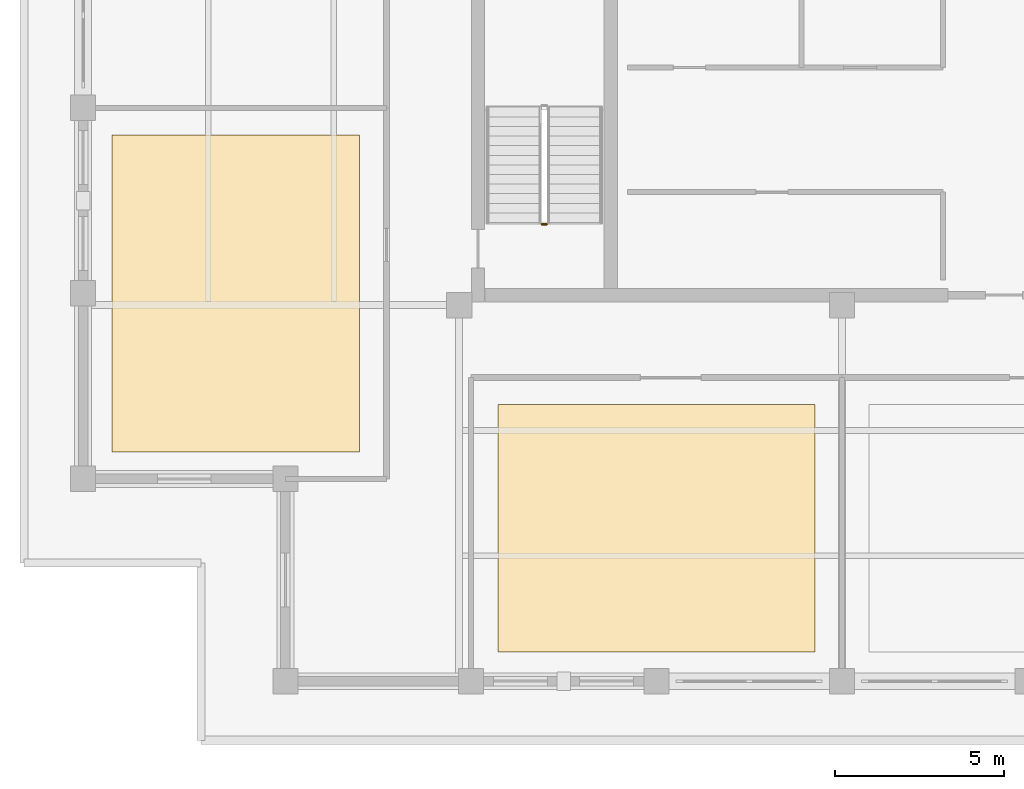
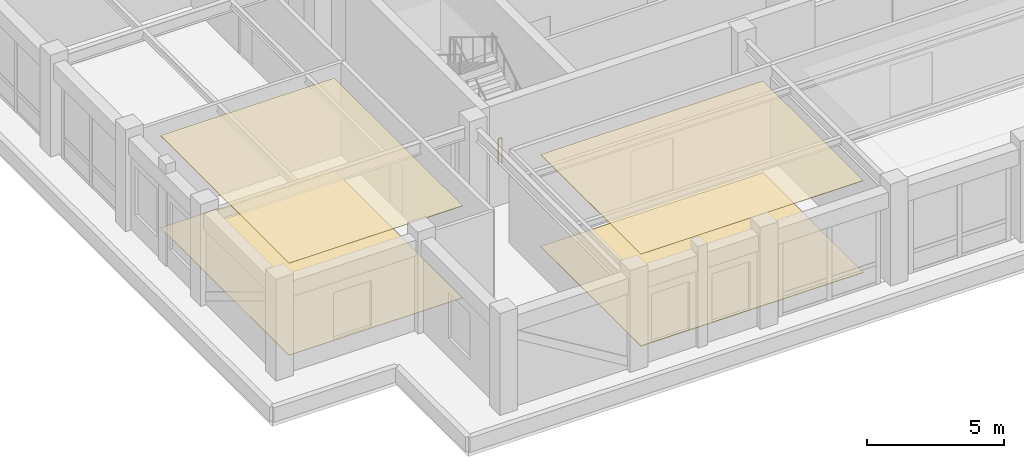
# One storey, part 11 of 13: 4 coverings, 1 railing.
"""IFC4 building model written with IfcOpenShell, lengths in metres."""

from ifc_helpers import new_model, si_unit, direction, frame, origin, origin_2d, place, context, subcontext, project, spatial, polyline, circle, outline, extrude, material, layer, layer_set, type_object, element, save


model = new_model("IFC4")

# Units and contexts
model_context = context("Model", 3, precision=1e-05, world=origin(), true_north=direction((0.0, 1.0)))
body_context = subcontext(model_context, "Body", "Model", "MODEL_VIEW")
ifc_project = project(units=[si_unit("LENGTHUNIT", "METRE"), si_unit("AREAUNIT", "SQUARE_METRE"), si_unit("VOLUMEUNIT", "CUBIC_METRE"), si_unit("PLANEANGLEUNIT", "RADIAN"), si_unit("MASSUNIT", "GRAM", prefix="KILO")], contexts=[model_context])

# Site, building, storey
site_placement = place(None, origin())
site = spatial("IfcSite", under=ifc_project, at=site_placement, CompositionType="ELEMENT")
building_placement = place(site_placement, origin())
building = spatial("IfcBuilding", under=site, at=building_placement, Name="Nhamokura Convention Tower", CompositionType="ELEMENT")
storey_placement = place(building_placement, frame((0.0, 0.0, 257.60009765625)))
storey = spatial("IfcBuildingStorey", under=building, at=storey_placement, Name="L63", CompositionType="ELEMENT", Elevation=257.60009765625)

# Coverings
ifc_material_1 = material(Name="Mineral-fibre acoustic ceiling tile", Category="gypsum")
ifc_layer_1 = layer(ifc_material_1, 0.02490234375)
ifc_layer_set_1 = layer_set([ifc_layer_1], Name="AcousticTileCeiling_25")
covering_type_1 = type_object("IfcCoveringType", Name="AcousticTileCeiling_25", PredefinedType="CEILING", material=ifc_layer_set_1)
covering_1_placement = place(storey_placement, frame((0.0, 0.0, 4.10498046875)))
element("IfcCovering", 1, at=covering_1_placement, inside=storey, type_object=covering_type_1, Name="L63 Suspended Ceiling 01", PredefinedType="CEILING", context=body_context, shape_type="SweptSolid", body=[
    extrude(outline(polyline([(21.800048828125, 10.360107421875), (31.199951171875, 10.360107421875), (31.199951171875, 17.699951171875), (21.800048828125, 17.699951171875), (21.800048828125, 10.360107421875)])), origin(), (0.0, 0.0, 1.0), 0.02490234375),
])
covering_2_placement = place(storey_placement, frame((0.0, 0.0, 4.10498046875)))
element("IfcCovering", 2, at=covering_2_placement, inside=storey, type_object=covering_type_1, Name="L63 Suspended Ceiling 06", PredefinedType="CEILING", context=body_context, shape_type="SweptSolid", body=[
    extrude(outline(polyline([(10.360107421875, 16.300048828125), (17.699951171875, 16.300048828125), (17.699951171875, 25.699951171875), (10.360107421875, 25.699951171875), (10.360107421875, 16.300048828125)])), origin(), (0.0, 0.0, 1.0), 0.02490234375),
])
ifc_material_2 = material(Name="Polished Sabana granite terrazzo", Category="masonry")
ifc_layer_2 = layer(ifc_material_2, 0.030029296875)
ifc_layer_set_2 = layer_set([ifc_layer_2], Name="SabanaTerrazzoFlooring_30")
covering_type_2 = type_object("IfcCoveringType", Name="SabanaTerrazzoFlooring_30", PredefinedType="FLOORING", material=ifc_layer_set_2)
covering_3_placement = place(storey_placement, origin())
element("IfcCovering", 3, at=covering_3_placement, inside=storey, type_object=covering_type_2, Name="L63 Finish Flooring 01", PredefinedType="FLOORING", context=body_context, shape_type="SweptSolid", body=[
    extrude(outline(polyline([(21.800048828125, 10.360107421875), (31.199951171875, 10.360107421875), (31.199951171875, 17.699951171875), (21.800048828125, 17.699951171875), (21.800048828125, 10.360107421875)])), origin(), (0.0, 0.0, 1.0), 0.02978515625),
])

# Railing
ifc_material_3 = material(Name="Painted tubular steel", Category="steel")
railing_type = type_object("IfcRailingType", Name="StairWellGuardrail_1150", PredefinedType="GUARDRAIL", material=ifc_material_3)
railing_placement = place(storey_placement, frame((23.25, 23.050048828125, 0.0)))
element("IfcRailing", 4, at=railing_placement, inside=storey, type_object=railing_type, Name="L63 ST-01 stair guard 4", PredefinedType="GUARDRAIL", context=body_context, shape_type="SweptSolid", body=[
    extrude(circle(Radius=0.02392578125, at=origin_2d()), frame((0.0, 0.0, 1.1259765625), z_axis=(-1.0, 0.0, 0.0), x_axis=(0.0, -1.0, 0.0)), (0.0, 0.0, 1.0), 0.14990234375),
    extrude(circle(Radius=0.02099609375, at=origin_2d()), origin(), (0.0, 0.0, 1.0), 1.101806640625),
    extrude(circle(Radius=0.02099609375, at=origin_2d()), frame((-0.14990234375, 0.0, 0.0)), (0.0, 0.0, 1.0), 1.101806640625),
])

# Covering
ifc_material_4 = material(Name="Acoustic woven hospitality carpet", Category="wood")
ifc_layer_3 = layer(ifc_material_4, 0.014892578125)
ifc_layer_set_3 = layer_set([ifc_layer_3], Name="WovenCarpetFlooring_15")
covering_type_3 = type_object("IfcCoveringType", Name="WovenCarpetFlooring_15", PredefinedType="FLOORING", material=ifc_layer_set_3)
covering_4_placement = place(storey_placement, origin())
element("IfcCovering", 5, at=covering_4_placement, inside=storey, type_object=covering_type_3, Name="L63 Finish Flooring 06", PredefinedType="FLOORING", context=body_context, shape_type="SweptSolid", body=[
    extrude(outline(polyline([(10.360107421875, 16.300048828125), (17.699951171875, 16.300048828125), (17.699951171875, 25.699951171875), (10.360107421875, 25.699951171875), (10.360107421875, 16.300048828125)])), origin(), (0.0, 0.0, 1.0), 0.014892578125),
])

save(model, "model.ifc")
